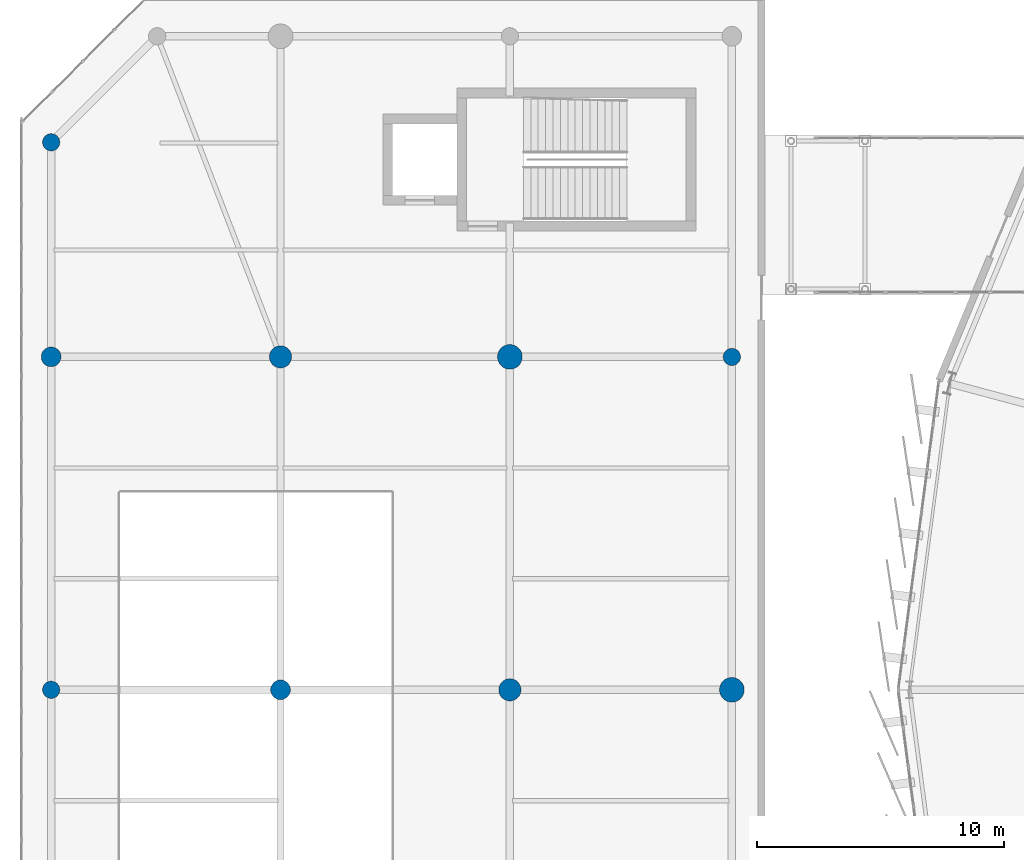
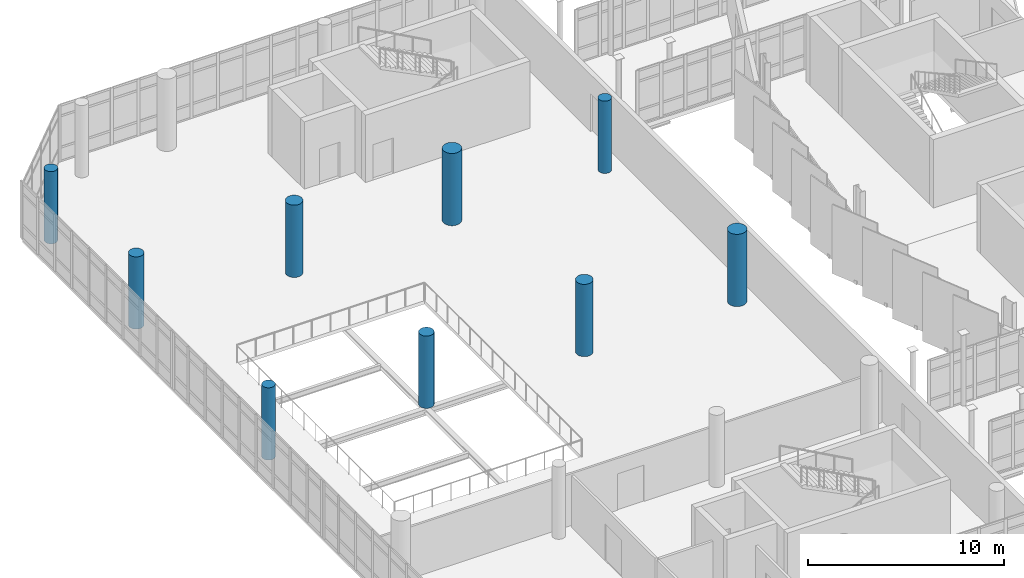
# One storey, part 10 of 125: 9 columns.
"""IFC4 building model written with IfcOpenShell, lengths in metres."""

from ifc_helpers import new_model, si_unit, direction, frame, origin, origin_2d, place, context, subcontext, project, spatial, circle, extrude, material, material_profile, profile_set, type_object, element, save


model = new_model("IFC4")

# Units and contexts
model_context = context("Model", 3, precision=1e-05, world=origin(), true_north=direction((0.0, 1.0)))
body_context = subcontext(model_context, "Body", "Model", "MODEL_VIEW")
ifc_project = project(units=[si_unit("LENGTHUNIT", "METRE"), si_unit("AREAUNIT", "SQUARE_METRE"), si_unit("VOLUMEUNIT", "CUBIC_METRE"), si_unit("PLANEANGLEUNIT", "RADIAN"), si_unit("MASSUNIT", "GRAM", prefix="KILO")], contexts=[model_context])

# Site, building, storey
site_placement = place(None, origin())
site = spatial("IfcSite", under=ifc_project, at=site_placement, CompositionType="ELEMENT")
building_placement = place(site_placement, origin())
building = spatial("IfcBuilding", under=site, at=building_placement, Name="Sohan Crest Arena", CompositionType="ELEMENT")
storey_placement = place(building_placement, frame((0.0, 0.0, 9.0)))
storey = spatial("IfcBuildingStorey", under=building, at=storey_placement, Name="L02", CompositionType="ELEMENT", Elevation=9.0)

# Columns
ifc_material = material(Name="Concrete C40/50", Category="concrete")
ifc_material_profile_1 = material_profile(ifc_material, circle(Radius=0.35009765625, at=origin_2d()), Name="RC D700")
ifc_profile_set_1 = profile_set([ifc_material_profile_1], Name="Concrete C40/50")
column_type_1 = type_object("IfcColumnType", Name="STR-COL-C13", PredefinedType="COLUMN", material=ifc_profile_set_1)
for number, where, z_axis, x_axis, name in (
    (1, (15.199951171875, 78.0, 0.0), (0.0, 0.0, 1.0), (1.0, 0.0, 0.0), "Structural column COL-V3C-13-L02"),
    (2, (42.800048828125, 91.5, 0.0), (0.0, 0.0, 1.0), (1.0, 0.0, 0.0), "Structural column COL-V3C-44-L02"),
    (3, (15.199951171875, 100.199951171875, 0.0), (0.0, 0.0, 1.0), (1.0, 0.0, 0.0), "Structural column COL-V3CH-3-L02"),
):
    element("IfcColumn", number, at=place(storey_placement, frame(where, z_axis=z_axis, x_axis=x_axis)), inside=storey, type_object=column_type_1, Name=name, PredefinedType="COLUMN", context=body_context, shape_type="SweptSolid", body=[
        extrude(circle(Radius=0.35009765625, at=origin_2d()), origin(), (0.0, 0.0, 1.0), 4.5),
    ])
ifc_material_profile_2 = material_profile(ifc_material, circle(Radius=0.39990234375, at=origin_2d()), Name="RC D800")
ifc_profile_set_2 = profile_set([ifc_material_profile_2], Name="Concrete C40/50")
column_type_2 = type_object("IfcColumnType", Name="STR-COL-C14", PredefinedType="COLUMN", material=ifc_profile_set_2)
for number, where, z_axis, x_axis, name in (
    (4, (15.199951171875, 91.5, 0.0), (0.0, 0.0, 1.0), (1.0, 0.0, 0.0), "Structural column COL-V3C-14-L02"),
    (5, (24.5, 78.0, 0.0), (0.0, 0.0, 1.0), (1.0, 0.0, 0.0), "Structural column COL-V3C-23-L02"),
):
    element("IfcColumn", number, at=place(storey_placement, frame(where, z_axis=z_axis, x_axis=x_axis)), inside=storey, type_object=column_type_2, Name=name, PredefinedType="COLUMN", context=body_context, shape_type="SweptSolid", body=[
        extrude(circle(Radius=0.39990234375, at=origin_2d()), origin(), (0.0, 0.0, 1.0), 4.5),
    ])
ifc_material_profile_3 = material_profile(ifc_material, circle(Radius=0.449951171875, at=origin_2d()), Name="RC D900")
ifc_profile_set_3 = profile_set([ifc_material_profile_3], Name="Concrete C40/50")
column_type_3 = type_object("IfcColumnType", Name="STR-COL-C15", PredefinedType="COLUMN", material=ifc_profile_set_3)
for number, where, z_axis, x_axis, name in (
    (6, (24.5, 91.5, 0.0), (0.0, 0.0, 1.0), (1.0, 0.0, 0.0), "Structural column COL-V3C-24-L02"),
    (7, (33.800048828125, 78.0, 0.0), (0.0, 0.0, 1.0), (1.0, 0.0, 0.0), "Structural column COL-V3C-33-L02"),
):
    element("IfcColumn", number, at=place(storey_placement, frame(where, z_axis=z_axis, x_axis=x_axis)), inside=storey, type_object=column_type_3, Name=name, PredefinedType="COLUMN", context=body_context, shape_type="SweptSolid", body=[
        extrude(circle(Radius=0.449951171875, at=origin_2d()), origin(), (0.0, 0.0, 1.0), 4.5),
    ])
ifc_material_profile_4 = material_profile(ifc_material, circle(Radius=0.5, at=origin_2d()), Name="RC D1000")
ifc_profile_set_4 = profile_set([ifc_material_profile_4], Name="Concrete C40/50")
column_type_4 = type_object("IfcColumnType", Name="STR-COL-C16", PredefinedType="COLUMN", material=ifc_profile_set_4)
for number, where, z_axis, x_axis, name in (
    (8, (33.800048828125, 91.5, 0.0), (0.0, 0.0, 1.0), (1.0, 0.0, 0.0), "Structural column COL-V3C-34-L02"),
    (9, (42.800048828125, 78.0, 0.0), (0.0, 0.0, 1.0), (1.0, 0.0, 0.0), "Structural column COL-V3C-43-L02"),
):
    element("IfcColumn", number, at=place(storey_placement, frame(where, z_axis=z_axis, x_axis=x_axis)), inside=storey, type_object=column_type_4, Name=name, PredefinedType="COLUMN", context=body_context, shape_type="SweptSolid", body=[
        extrude(circle(Radius=0.5, at=origin_2d()), origin(), (0.0, 0.0, 1.0), 4.5),
    ])

save(model, "model.ifc")
